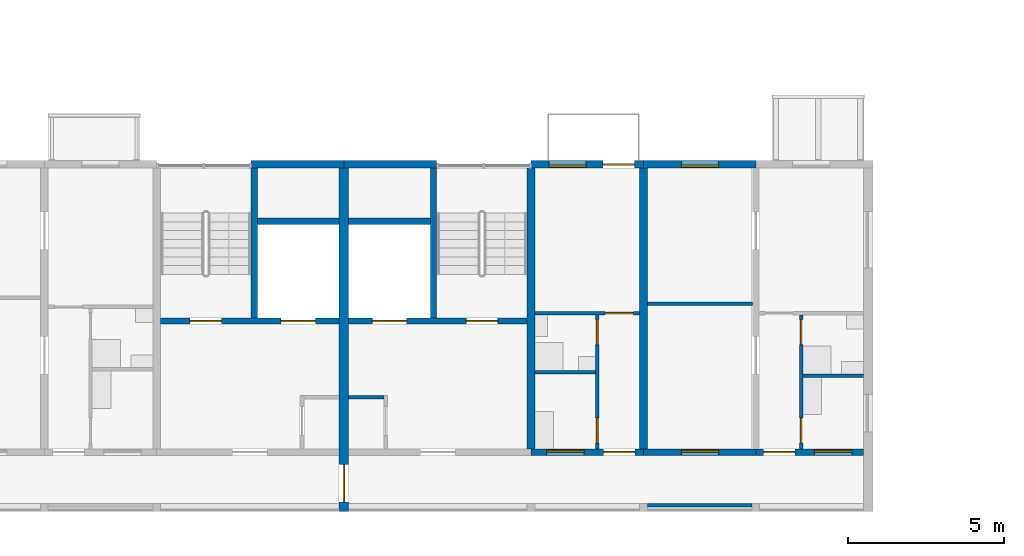
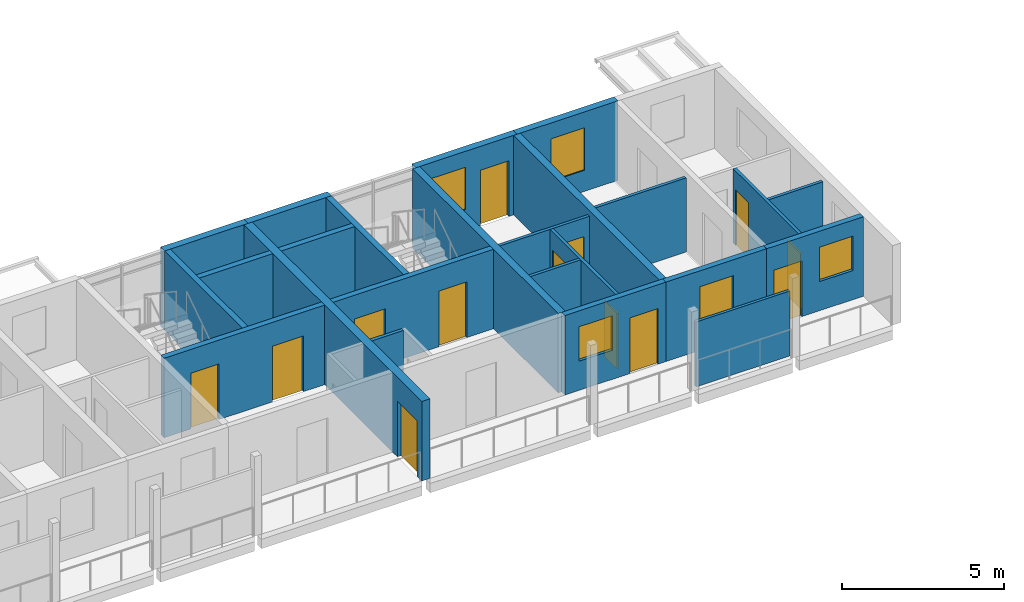
# One storey, part 40 of 98: 24 walls, 13 doors, 5 windows, 18 openings.
"""IFC4 building model written with IfcOpenShell, lengths in metres."""

import ifcopenshell
import ifcopenshell.guid

model = None  # the IFC model being written
_history = None  # IfcOwnerHistory: only IFC2X3 demands one
_inside = {}  # id of a spatial element -> (the spatial element, [elements in it])
_under = {}  # id of a project, library or spatial element -> (it, [spatial elements below it])
_declared = {}  # id of a project -> (the project, [libraries it declares])
_typed = {}  # id of a type object -> (the type object, [elements of that type])
_made_of = {}  # id of a material, layer set ... -> (it, [elements and type objects made of it])


def new_model(schema):
    """Start an empty IFC model of exactly this schema.

    Asked for "IFC4X3", IfcOpenShell would pick the latest addendum, in which some entities
    have other attributes; the version numbers below select the first issue.
    IFC2X3 requires an IfcOwnerHistory on every rooted entity: one is made here for all.
    """
    global model, _history
    if schema == "IFC4X3":
        model = ifcopenshell.file(schema_version=(4, 3, 0, 0))
    else:
        model = ifcopenshell.file(schema=schema)
    _inside.clear()
    _under.clear()
    _declared.clear()
    _typed.clear()
    _made_of.clear()
    _history = None
    if model.schema == "IFC2X3":
        org = make("IfcOrganization", Name="unknown")
        user = make(
            "IfcPersonAndOrganization",
            ThePerson=make("IfcPerson", FamilyName="unknown"),
            TheOrganization=org,
        )
        app = make(
            "IfcApplication",
            ApplicationDeveloper=org,
            Version="unknown",
            ApplicationFullName="unknown",
            ApplicationIdentifier="unknown",
        )
        _history = make(
            "IfcOwnerHistory",
            OwningUser=user,
            OwningApplication=app,
            ChangeAction="ADDED",
            CreationDate=0,
        )
    return model


def make(cls, **values):
    """One entity of the class cls with the attributes given. An attribute that is None is left unset."""
    return model.create_entity(
        cls, **{name: value for name, value in values.items() if value is not None}
    )


def rooted(cls, **values):
    """An entity with a GlobalId (a new one), such as an element, a storey or a relation."""
    return make(cls, GlobalId=ifcopenshell.guid.new(), OwnerHistory=_history, **values)


def si_unit(unit_type, name, prefix=None):
    """IfcSIUnit, for example si_unit("LENGTHUNIT", "METRE", prefix="MILLI")."""
    return make("IfcSIUnit", UnitType=unit_type, Prefix=prefix, Name=name)


def assignment(units):
    """IfcUnitAssignment: the units of a project."""
    return None if units is None else make("IfcUnitAssignment", Units=units)


def point(xyz):
    """IfcCartesianPoint."""
    return None if xyz is None else make("IfcCartesianPoint", Coordinates=xyz)


def direction(xyz):
    """IfcDirection."""
    return None if xyz is None else make("IfcDirection", DirectionRatios=xyz)


def frame(location, z_axis=None, x_axis=None):
    """IfcAxis2Placement3D, a coordinate frame: its origin and axes. An axis left out is left unset."""
    return make(
        "IfcAxis2Placement3D",
        Location=point(location),
        Axis=direction(z_axis),
        RefDirection=direction(x_axis),
    )


def frame_2d(location, x_axis=None):
    """IfcAxis2Placement2D, a coordinate frame in the plane: its origin and x axis."""
    return make(
        "IfcAxis2Placement2D", Location=point(location), RefDirection=direction(x_axis)
    )


def origin():
    """The frame at (0, 0, 0) with its axes left unset."""
    return frame((0.0, 0.0, 0.0))


def place(relative_to, where):
    """IfcLocalPlacement: puts the frame where relative to a parent placement (None: the world)."""
    return make(
        "IfcLocalPlacement", PlacementRelTo=relative_to, RelativePlacement=where
    )


def context(
    kind, dimensions, precision=None, world=None, true_north=None, identifier=None
):
    """IfcGeometricRepresentationContext, for example the 3D "Model" context."""
    return make(
        "IfcGeometricRepresentationContext",
        ContextIdentifier=identifier,
        ContextType=kind,
        CoordinateSpaceDimension=dimensions,
        Precision=precision,
        WorldCoordinateSystem=world,
        TrueNorth=true_north,
    )


def subcontext(parent, identifier, kind, view, scale=None):
    """IfcGeometricRepresentationSubContext, for example "Body" below "Model"."""
    return make(
        "IfcGeometricRepresentationSubContext",
        ContextIdentifier=identifier,
        ContextType=kind,
        ParentContext=parent,
        TargetScale=scale,
        TargetView=view,
    )


def project(units=None, contexts=None):
    """IfcProject with its units and contexts."""
    return rooted(
        "IfcProject",
        Name="project",
        RepresentationContexts=contexts,
        UnitsInContext=assignment(units),
    )


def spatial(cls, under=None, at=None, **own):
    """A site, building, storey or space (cls), placed at a placement, below another one or the project."""
    s = rooted(cls, ObjectPlacement=at, **own)
    if under is not None:
        _under.setdefault(under.id(), (under, []))[1].append(s)
    return s


def profile(cls, at=None, kind="AREA", **sizes):
    """A parametric profile (cls). Its sizes go by their IFC names, for example OverallWidth=200.0."""
    return make(cls, ProfileType=kind, Position=at, **sizes)


def rectangle(**sizes):
    """IfcRectangleProfileDef."""
    return profile("IfcRectangleProfileDef", **sizes)


def extrude(swept, where, along, depth):
    """IfcExtrudedAreaSolid: the profile swept, set in the frame where, extruded along a direction by depth."""
    return make(
        "IfcExtrudedAreaSolid",
        SweptArea=swept,
        Position=where,
        ExtrudedDirection=direction(along),
        Depth=depth,
    )


def shape(context_of_items, identifier, shape_type, items):
    """IfcShapeRepresentation: the items that make up one representation, for example the "Body"."""
    return make(
        "IfcShapeRepresentation",
        ContextOfItems=context_of_items,
        RepresentationIdentifier=identifier,
        RepresentationType=shape_type,
        Items=items,
    )


def material(Name=None, Category=None):
    """IfcMaterial."""
    return make("IfcMaterial", Name=Name, Category=Category)


def layer(
    of_material, thickness, ventilated=None, Name=None, Category=None, Priority=None
):
    """IfcMaterialLayer: one layer of a wall or slab, of a material (None: an air gap)."""
    return make(
        "IfcMaterialLayer",
        Material=of_material,
        LayerThickness=thickness,
        IsVentilated=ventilated,
        Name=Name,
        Category=Category,
        Priority=Priority,
    )


def layer_set(layers, Name=None):
    """IfcMaterialLayerSet."""
    return make("IfcMaterialLayerSet", MaterialLayers=layers, LayerSetName=Name)


def made_of(thing, what):
    """Note that an element or type object is made of a material, layer set ...; save() writes the relation."""
    if what is not None:
        _made_of.setdefault(what.id(), (what, []))[1].append(thing)
    return thing


def type_object(cls, material=None, **own):
    """A type object (cls), such as IfcWallType, which elements share."""
    return made_of(rooted(cls, **own), material)


def element(
    cls,
    number,
    at=None,
    inside=None,
    cuts=None,
    type_object=None,
    material=None,
    context=None,
    identifier="Body",
    shape_type=None,
    held_by="IfcProductDefinitionShape",
    body=None,
    shapes=None,
    **own,
):
    """One element of the class cls, such as IfcWall. Its Tag is "e" and its number.

    at: its placement. inside: the storey or other place that contains it. cuts: it is an
    opening in that element (IfcRelVoidsElement). A single representation is given by context,
    identifier, shape_type and body (its items); several are given by shapes. held_by: the class
    of the entity that holds the representations. save() writes the other relations.
    """
    e = rooted(cls, Tag="e%d" % number, ObjectPlacement=at, **own)
    if body is not None:
        shapes = [shape(context, identifier, shape_type, body)]
    if shapes is not None:
        e.Representation = make(held_by, Representations=shapes)
    if inside is not None:
        _inside.setdefault(inside.id(), (inside, []))[1].append(e)
    if cuts is not None:
        rooted(
            "IfcRelVoidsElement", RelatingBuildingElement=cuts, RelatedOpeningElement=e
        )
    if type_object is not None:
        _typed.setdefault(type_object.id(), (type_object, []))[1].append(e)
    return made_of(e, material)


def fill(opening, filler):
    """IfcRelFillsElement: the door or window that sits in an opening."""
    return rooted(
        "IfcRelFillsElement",
        RelatingOpeningElement=opening,
        RelatedBuildingElement=filler,
    )


def aggregate(whole, parts):
    """IfcRelAggregates: a whole, such as a stair, and the parts it consists of."""
    return rooted("IfcRelAggregates", RelatingObject=whole, RelatedObjects=parts)


def save(model, path):
    """Write the relations noted so far, then the file.

    IfcRelAggregates (storeys below a building ...), IfcRelContainedInSpatialStructure (elements
    in a storey), IfcRelDefinesByType, IfcRelAssociatesMaterial and IfcRelDeclares: one each for
    every whole, place, type object, material and project.
    """
    for whole, parts in _under.values():
        aggregate(whole, parts)
    for where, things in _inside.values():
        rooted(
            "IfcRelContainedInSpatialStructure",
            RelatedElements=things,
            RelatingStructure=where,
        )
    for kind, things in _typed.values():
        rooted("IfcRelDefinesByType", RelatedObjects=things, RelatingType=kind)
    for what, things in _made_of.values():
        rooted("IfcRelAssociatesMaterial", RelatedObjects=things, RelatingMaterial=what)
    for by, libraries in _declared.values():
        rooted("IfcRelDeclares", RelatingContext=by, RelatedDefinitions=libraries)
    model.write(path)


model = new_model("IFC4")

# Units and contexts
model_context = context("Model", 3, precision=1e-05, world=origin(), true_north=direction((0.0, 1.0)))
body_context = subcontext(model_context, "Body", "Model", "MODEL_VIEW")
ifc_project = project(units=[si_unit("LENGTHUNIT", "METRE"), si_unit("AREAUNIT", "SQUARE_METRE"), si_unit("VOLUMEUNIT", "CUBIC_METRE"), si_unit("PLANEANGLEUNIT", "RADIAN"), si_unit("MASSUNIT", "GRAM", prefix="KILO")], contexts=[model_context])

# Site, building, storey
site_placement = place(None, origin())
site = spatial("IfcSite", under=ifc_project, at=site_placement, CompositionType="ELEMENT")
building_placement = place(site_placement, origin())
building = spatial("IfcBuilding", under=site, at=building_placement, Name="Ridgestep Commons", CompositionType="ELEMENT")
storey_placement = place(building_placement, frame((0.0, 0.0, 12.0)))
storey = spatial("IfcBuildingStorey", under=building, at=storey_placement, Name="L04", CompositionType="ELEMENT", Elevation=12.0)

# Walls
ifc_material_1 = material(Name="Concrete C30/37", Category="concrete")
ifc_layer_1 = layer(ifc_material_1, 0.25)
ifc_layer_set_1 = layer_set([ifc_layer_1], Name="Core cross wall 250")
wall_type_1 = type_object("IfcWallType", Name="Core cross wall 250", PredefinedType="SHEAR", material=ifc_layer_set_1)
wall_1_placement = place(storey_placement, frame((102.0, 13.75, 0.0), z_axis=(0.0, 0.0, 1.0), x_axis=(0.0, 1.0, 0.0)))
element("IfcWall", 1, at=wall_1_placement, inside=storey, type_object=wall_type_1, Name="Cross wall A-04-1020", PredefinedType="SHEAR", context=body_context, shape_type="SweptSolid", body=[
    extrude(rectangle(XDim=9.0, YDim=0.25, at=frame_2d((4.5, 0.0))), origin(), (0.0, 0.0, 1.0), 3.0),
])
ifc_material_2 = material(Name="Concrete C30/37", Category="concrete")
ifc_layer_2 = layer(ifc_material_2, 0.1201171875)
ifc_layer_set_2 = layer_set([ifc_layer_2], Name="Core wall 120")
wall_type_2 = type_object("IfcWallType", Name="Core wall 120", PredefinedType="SHEAR", material=ifc_layer_set_2)
wall_2_placement = place(storey_placement, frame((96.14990234375, 15.409912109375, 0.0), z_axis=(0.0, 0.0, 1.0), x_axis=(1.0, 0.0, 0.0)))
element("IfcWall", 2, at=wall_2_placement, inside=storey, type_object=wall_type_2, Name="Core riser n wall A6C L04", PredefinedType="SHEAR", context=body_context, shape_type="SweptSolid", body=[
    extrude(rectangle(XDim=1.130126953125, YDim=0.1201171875, at=frame_2d((0.56494140625, 0.0))), origin(), (0.0, 0.0, 1.0), 3.0),
])

# Wall, openings, doors
ifc_material_3 = material(Name="Concrete C30/37", Category="concrete")
ifc_layer_3 = layer(ifc_material_3, 0.199951171875)
ifc_layer_set_3 = layer_set([ifc_layer_3], Name="Core wall 200")
wall_type_3 = type_object("IfcWallType", Name="Core wall 200", PredefinedType="SHEAR", material=ifc_layer_set_3)
wall_3_placement = place(storey_placement, frame((90.125, 17.85009765625, 0.0), z_axis=(0.0, 0.0, 1.0), x_axis=(1.0, 0.0, 0.0)))
wall_3 = element("IfcWall", 3, at=wall_3_placement, inside=storey, type_object=wall_type_3, Name="Core lobby wall A5C L04", PredefinedType="SHEAR", context=body_context, shape_type="SweptSolid", body=[
    extrude(rectangle(XDim=5.72509765625, YDim=0.199951171875, at=frame_2d((2.862548828125, 0.0))), origin(), (0.0, 0.0, 1.0), 3.0),
])
opening_1_placement = place(wall_3_placement, frame((0.949951171875, 0.0, 0.0)))
opening_1 = element("IfcOpeningElement", 4, at=opening_1_placement, cuts=wall_3, Name="Opening A5C/04/2", PredefinedType="OPENING", context=body_context, shape_type="SweptSolid", body=[
    extrude(rectangle(XDim=1.0, YDim=2.10009765625, at=frame_2d((0.5, 1.050048828125))), frame((0.0, 0.10986328125, 0.0), z_axis=(0.0, -1.0, 0.0), x_axis=(1.0, 0.0, 0.0)), (0.0, 0.0, 1.0), 0.219970703125),
])
opening_2_placement = place(wall_3_placement, frame((3.862548828125, 0.0, 0.0)))
opening_2 = element("IfcOpeningElement", 5, at=opening_2_placement, cuts=wall_3, Name="Opening A5C/04/3", PredefinedType="OPENING", context=body_context, shape_type="SweptSolid", body=[
    extrude(rectangle(XDim=1.10009765625, YDim=2.10009765625, at=frame_2d((0.550048828125, 1.050048828125))), frame((0.0, 0.10986328125, 0.0), z_axis=(0.0, -1.0, 0.0), x_axis=(1.0, 0.0, 0.0)), (0.0, 0.0, 1.0), 0.219970703125),
])
ifc_material_4 = material(Name="Stainless steel", Category="steel")
door_type_1 = type_object("IfcDoorType", Name="Lift landing door 1100 x 2100 FD60", OperationType="DOUBLE_DOOR_SLIDING", PredefinedType="DOOR", material=ifc_material_4)
door_1_placement = place(opening_2_placement, origin())
door_1 = element("IfcDoor", 6, at=door_1_placement, inside=storey, type_object=door_type_1, Name="Landing door LD A5C L04", OperationType="DOUBLE_DOOR_SLIDING", OverallHeight=2.10009765625, OverallWidth=1.10009765625, PredefinedType="DOOR", context=body_context, shape_type="SweptSolid", body=[
    extrude(rectangle(XDim=1.10009765625, YDim=2.10009765625, at=frame_2d((0.550048828125, 1.050048828125))), frame((0.0, 0.02490234375, 0.0), z_axis=(0.0, -1.0, 0.0), x_axis=(1.0, 0.0, 0.0)), (0.0, 0.0, 1.0), 0.050048828125),
])
fill(opening_2, door_1)
ifc_material_5 = material(Name="Steel fire door", Category="steel")
door_type_2 = type_object("IfcDoorType", Name="Stair door 1000 x 2100 FD60", OperationType="NOTDEFINED", PredefinedType="DOOR", material=ifc_material_5)
door_2_placement = place(opening_1_placement, origin())
door_2 = element("IfcDoor", 7, at=door_2_placement, inside=storey, type_object=door_type_2, Name="Stair door A5C/04/2", OperationType="SINGLE_SWING_RIGHT", OverallHeight=2.10009765625, OverallWidth=1.0, PredefinedType="DOOR", context=body_context, shape_type="SweptSolid", body=[
    extrude(rectangle(XDim=1.0, YDim=2.10009765625, at=frame_2d((0.5, 1.050048828125))), frame((0.0, 0.02490234375, 0.0), z_axis=(0.0, -1.0, 0.0), x_axis=(1.0, 0.0, 0.0)), (0.0, 0.0, 1.0), 0.050048828125),
])
fill(opening_1, door_2)

# Walls
wall_4_placement = place(storey_placement, frame((93.125, 17.949951171875, 0.0), z_axis=(0.0, 0.0, 1.0), x_axis=(0.0, 1.0, 0.0)))
element("IfcWall", 8, at=wall_4_placement, inside=storey, type_object=wall_type_3, Name="Core stair wall A5C L04", PredefinedType="SHEAR", context=body_context, shape_type="SweptSolid", body=[
    extrude(rectangle(XDim=4.800048828125, YDim=0.199951171875, at=frame_2d((2.39990234375, 0.0))), origin(), (0.0, 0.0, 1.0), 3.0),
])
wall_5_placement = place(storey_placement, frame((93.22509765625, 21.050048828125, 0.0), z_axis=(0.0, 0.0, 1.0), x_axis=(1.0, 0.0, 0.0)))
element("IfcWall", 9, at=wall_5_placement, inside=storey, type_object=wall_type_3, Name="Core duct wall A5C L04", PredefinedType="SHEAR", context=body_context, shape_type="SweptSolid", body=[
    extrude(rectangle(XDim=2.625, YDim=0.199951171875, at=frame_2d((1.3125, 0.0))), origin(), (0.0, 0.0, 1.0), 3.0),
])

# Wall, openings, doors
wall_6_placement = place(storey_placement, frame((96.14990234375, 17.85009765625, 0.0), z_axis=(0.0, 0.0, 1.0), x_axis=(1.0, 0.0, 0.0)))
wall_6 = element("IfcWall", 10, at=wall_6_placement, inside=storey, type_object=wall_type_3, Name="Core lobby wall A6C L04", PredefinedType="SHEAR", context=body_context, shape_type="SweptSolid", body=[
    extrude(rectangle(XDim=5.72509765625, YDim=0.199951171875, at=frame_2d((2.862548828125, 0.0))), origin(), (0.0, 0.0, 1.0), 3.0),
])
opening_3_placement = place(wall_6_placement, frame((3.77490234375, 0.0, 0.0)))
opening_3 = element("IfcOpeningElement", 11, at=opening_3_placement, cuts=wall_6, Name="Opening A6C/04/2", PredefinedType="OPENING", context=body_context, shape_type="SweptSolid", body=[
    extrude(rectangle(XDim=1.0, YDim=2.10009765625, at=frame_2d((0.5, 1.050048828125))), frame((0.0, 0.10986328125, 0.0), z_axis=(0.0, -1.0, 0.0), x_axis=(1.0, 0.0, 0.0)), (0.0, 0.0, 1.0), 0.219970703125),
])
opening_4_placement = place(wall_6_placement, frame((0.762451171875, 0.0, 0.0)))
opening_4 = element("IfcOpeningElement", 12, at=opening_4_placement, cuts=wall_6, Name="Opening A6C/04/3", PredefinedType="OPENING", context=body_context, shape_type="SweptSolid", body=[
    extrude(rectangle(XDim=1.10009765625, YDim=2.10009765625, at=frame_2d((0.550048828125, 1.050048828125))), frame((0.0, 0.10986328125, 0.0), z_axis=(0.0, -1.0, 0.0), x_axis=(1.0, 0.0, 0.0)), (0.0, 0.0, 1.0), 0.219970703125),
])
door_3_placement = place(opening_4_placement, origin())
door_3 = element("IfcDoor", 13, at=door_3_placement, inside=storey, type_object=door_type_1, Name="Landing door LD A6C L04", OperationType="DOUBLE_DOOR_SLIDING", OverallHeight=2.10009765625, OverallWidth=1.10009765625, PredefinedType="DOOR", context=body_context, shape_type="SweptSolid", body=[
    extrude(rectangle(XDim=1.10009765625, YDim=2.10009765625, at=frame_2d((0.550048828125, 1.050048828125))), frame((0.0, 0.02490234375, 0.0), z_axis=(0.0, -1.0, 0.0), x_axis=(1.0, 0.0, 0.0)), (0.0, 0.0, 1.0), 0.050048828125),
])
fill(opening_4, door_3)
door_4_placement = place(opening_3_placement, origin())
door_4 = element("IfcDoor", 14, at=door_4_placement, inside=storey, type_object=door_type_2, Name="Stair door A6C/04/2", OperationType="SINGLE_SWING_RIGHT", OverallHeight=2.10009765625, OverallWidth=1.0, PredefinedType="DOOR", context=body_context, shape_type="SweptSolid", body=[
    extrude(rectangle(XDim=1.0, YDim=2.10009765625, at=frame_2d((0.5, 1.050048828125))), frame((0.0, 0.02490234375, 0.0), z_axis=(0.0, -1.0, 0.0), x_axis=(1.0, 0.0, 0.0)), (0.0, 0.0, 1.0), 0.050048828125),
])
fill(opening_3, door_4)

# Walls
wall_7_placement = place(storey_placement, frame((98.875, 17.949951171875, 0.0), z_axis=(0.0, 0.0, 1.0), x_axis=(0.0, 1.0, 0.0)))
element("IfcWall", 15, at=wall_7_placement, inside=storey, type_object=wall_type_3, Name="Core stair wall A6C L04", PredefinedType="SHEAR", context=body_context, shape_type="SweptSolid", body=[
    extrude(rectangle(XDim=4.800048828125, YDim=0.199951171875, at=frame_2d((2.39990234375, 0.0))), origin(), (0.0, 0.0, 1.0), 3.0),
])
wall_8_placement = place(storey_placement, frame((96.14990234375, 21.050048828125, 0.0), z_axis=(0.0, 0.0, 1.0), x_axis=(1.0, 0.0, 0.0)))
element("IfcWall", 16, at=wall_8_placement, inside=storey, type_object=wall_type_3, Name="Core duct wall A6C L04", PredefinedType="SHEAR", context=body_context, shape_type="SweptSolid", body=[
    extrude(rectangle(XDim=2.625, YDim=0.199951171875, at=frame_2d((1.3125, 0.0))), origin(), (0.0, 0.0, 1.0), 3.0),
])
ifc_material_6 = material(Name="Precast concrete C40/50", Category="concrete")
ifc_layer_4 = layer(ifc_material_6, 0.25)
ifc_layer_set_4 = layer_set([ifc_layer_4], Name="Cross wall 250")
wall_type_4 = type_object("IfcWallType", Name="Cross wall 250", PredefinedType="SHEAR", material=ifc_layer_set_4)
wall_9_placement = place(storey_placement, frame((105.60009765625, 13.75, 0.0), z_axis=(0.0, 0.0, 1.0), x_axis=(0.0, 1.0, 0.0)))
element("IfcWall", 17, at=wall_9_placement, inside=storey, type_object=wall_type_4, Name="Cross wall A-04-1056", PredefinedType="SHEAR", context=body_context, shape_type="SweptSolid", body=[
    extrude(rectangle(XDim=9.0, YDim=0.25, at=frame_2d((4.5, 0.0))), origin(), (0.0, 0.0, 1.0), 3.0),
])

# Wall, opening, door
ifc_material_7 = material(Name="Precast concrete C40/50", Category="concrete")
ifc_layer_5 = layer(ifc_material_7, 0.300048828125)
ifc_layer_set_5 = layer_set([ifc_layer_5], Name="Division wall 300")
wall_type_5 = type_object("IfcWallType", Name="Division wall 300", PredefinedType="SHEAR", material=ifc_layer_set_5)
wall_10_placement = place(storey_placement, frame((96.0, 11.75, 0.0), z_axis=(0.0, 0.0, 1.0), x_axis=(0.0, 1.0, 0.0)))
wall_10 = element("IfcWall", 18, at=wall_10_placement, inside=storey, type_object=wall_type_5, Name="Cross wall A-04-0960", PredefinedType="SHEAR", context=body_context, shape_type="SweptSolid", body=[
    extrude(rectangle(XDim=11.0, YDim=0.300048828125, at=frame_2d((5.5, 0.0))), origin(), (0.0, 0.0, 1.0), 3.0),
])
opening_5_placement = place(wall_10_placement, frame((0.300048828125, 0.0, 0.0)))
opening_5 = element("IfcOpeningElement", 19, at=opening_5_placement, cuts=wall_10, Name="Opening A/04/G0960", PredefinedType="OPENING", context=body_context, shape_type="SweptSolid", body=[
    extrude(rectangle(XDim=1.199951171875, YDim=2.10009765625, at=frame_2d((0.60009765625, 1.050048828125))), frame((0.0, 0.159912109375, 0.0), z_axis=(0.0, -1.0, 0.0), x_axis=(1.0, 0.0, 0.0)), (0.0, 0.0, 1.0), 0.320068359375),
])
ifc_material_8 = material(Name="Steel fire door", Category="steel")
door_type_3 = type_object("IfcDoorType", Name="Division fire door 1200 x 2100 EI 240", OperationType="DOUBLE_DOOR_SINGLE_SWING", PredefinedType="DOOR", material=ifc_material_8)
door_5_placement = place(opening_5_placement, origin())
door_5 = element("IfcDoor", 20, at=door_5_placement, inside=storey, type_object=door_type_3, Name="Division fire door A/04/G0960", OperationType="DOUBLE_DOOR_SINGLE_SWING", OverallHeight=2.10009765625, OverallWidth=1.199951171875, PredefinedType="DOOR", context=body_context, shape_type="SweptSolid", body=[
    extrude(rectangle(XDim=1.199951171875, YDim=2.10009765625, at=frame_2d((0.60009765625, 1.050048828125))), frame((0.0, 0.02490234375, 0.0), z_axis=(0.0, -1.0, 0.0), x_axis=(1.0, 0.0, 0.0)), (0.0, 0.0, 1.0), 0.050048828125),
])
fill(opening_5, door_5)

# Walls
ifc_material_9 = material(Name="Precast concrete C40/50", Category="concrete")
ifc_layer_6 = layer(ifc_material_9, 0.25)
ifc_layer_set_6 = layer_set([ifc_layer_6], Name="North facade panel 250")
wall_type_6 = type_object("IfcWallType", Name="North facade panel 250", PredefinedType="SOLIDWALL", material=ifc_layer_set_6)
for number, where, z_axis, x_axis, name in (
    (21, (93.02490234375, 22.875, 0.0), (0.0, 0.0, 1.0), (1.0, 0.0, 0.0), "North panel A5C L04"),
    (22, (96.0, 22.875, 0.0), (0.0, 0.0, 1.0), (1.0, 0.0, 0.0), "North panel A6C L04"),
):
    element("IfcWall", number, at=place(storey_placement, frame(where, z_axis=z_axis, x_axis=x_axis)), inside=storey, type_object=wall_type_6, Name=name, PredefinedType="SOLIDWALL", context=body_context, shape_type="SweptSolid", body=[
        extrude(rectangle(XDim=2.97509765625, YDim=0.25, at=frame_2d((1.487548828125, 0.0))), origin(), (0.0, 0.0, 1.0), 3.0),
    ])

# Wall, openings, door, window
wall_11_placement = place(storey_placement, frame((102.0, 22.875, 0.0), z_axis=(0.0, 0.0, 1.0), x_axis=(1.0, 0.0, 0.0)))
wall_11 = element("IfcWall", 23, at=wall_11_placement, inside=storey, type_object=wall_type_6, Name="North panel A6T3 L04", PredefinedType="SOLIDWALL", context=body_context, shape_type="SweptSolid", body=[
    extrude(rectangle(XDim=3.60009765625, YDim=0.25, at=frame_2d((1.800048828125, 0.0))), origin(), (0.0, 0.0, 1.0), 3.0),
])
opening_6_placement = place(wall_11_placement, frame((0.5654296875, 0.0, 0.800048828125)))
opening_6 = element("IfcOpeningElement", 24, at=opening_6_placement, cuts=wall_11, Name="Opening W11", PredefinedType="OPENING", context=body_context, shape_type="SweptSolid", body=[
    extrude(rectangle(XDim=1.199951171875, YDim=1.60009765625, at=frame_2d((0.60009765625, 0.800048828125))), frame((0.0, 0.135009765625, 0.0), z_axis=(0.0, -1.0, 0.0), x_axis=(1.0, 0.0, 0.0)), (0.0, 0.0, 1.0), 0.27001953125),
])
opening_7_placement = place(wall_11_placement, frame((2.305908203125, 0.0, 0.0)))
opening_7 = element("IfcOpeningElement", 25, at=opening_7_placement, cuts=wall_11, Name="Opening A6-04b/5", PredefinedType="OPENING", context=body_context, shape_type="SweptSolid", body=[
    extrude(rectangle(XDim=1.0, YDim=2.10009765625, at=frame_2d((0.5, 1.050048828125))), frame((0.0, 0.135009765625, 0.0), z_axis=(0.0, -1.0, 0.0), x_axis=(1.0, 0.0, 0.0)), (0.0, 0.0, 1.0), 0.27001953125),
])
ifc_material_10 = material(Name="Aluminium and glass", Category="aluminium")
door_type_4 = type_object("IfcDoorType", Name="Balcony door 1000 x 2100", OperationType="NOTDEFINED", PredefinedType="DOOR", material=ifc_material_10)
door_6_placement = place(opening_7_placement, origin())
door_6 = element("IfcDoor", 26, at=door_6_placement, inside=storey, type_object=door_type_4, Name="Balcony door A6-04b/5", OperationType="SINGLE_SWING_LEFT", OverallHeight=2.10009765625, OverallWidth=1.0, PredefinedType="DOOR", context=body_context, shape_type="SweptSolid", body=[
    extrude(rectangle(XDim=1.0, YDim=2.10009765625, at=frame_2d((0.5, 1.050048828125))), frame((0.0, 0.02490234375, 0.0), z_axis=(0.0, -1.0, 0.0), x_axis=(1.0, 0.0, 0.0)), (0.0, 0.0, 1.0), 0.050048828125),
])
fill(opening_7, door_6)
ifc_material_11 = material(Name="Aluminium 6063-T6 and glass", Category="aluminium")
window_type_1 = type_object("IfcWindowType", Name="Flat window 1200 x 1600", PartitioningType="SINGLE_PANEL", PredefinedType="WINDOW", material=ifc_material_11)
window_1_placement = place(opening_6_placement, origin())
window_1 = element("IfcWindow", 27, at=window_1_placement, inside=storey, type_object=window_type_1, Name="Window A6-04b 2", OverallHeight=1.60009765625, OverallWidth=1.199951171875, PartitioningType="SINGLE_PANEL", PredefinedType="WINDOW", context=body_context, shape_type="SweptSolid", body=[
    extrude(rectangle(XDim=1.199951171875, YDim=1.60009765625, at=frame_2d((0.60009765625, 0.800048828125))), frame((0.0, -0.02490234375, 0.0), z_axis=(0.0, -1.0, 0.0), x_axis=(1.0, 0.0, 0.0)), (0.0, 0.0, 1.0), 0.06005859375),
])
fill(opening_6, window_1)

# Wall, opening, window
wall_12_placement = place(storey_placement, frame((105.60009765625, 22.875, 0.0), z_axis=(0.0, 0.0, 1.0), x_axis=(1.0, 0.0, 0.0)))
wall_12 = element("IfcWall", 28, at=wall_12_placement, inside=storey, type_object=wall_type_6, Name="North panel A6T2 L04", PredefinedType="SOLIDWALL", context=body_context, shape_type="SweptSolid", body=[
    extrude(rectangle(XDim=3.599853515625, YDim=0.25, at=frame_2d((1.7998046875, 0.0))), origin(), (0.0, 0.0, 1.0), 3.0),
])
opening_8_placement = place(wall_12_placement, frame((1.21240234375, 0.0, 0.800048828125)))
opening_8 = element("IfcOpeningElement", 29, at=opening_8_placement, cuts=wall_12, Name="Opening W11", PredefinedType="OPENING", context=body_context, shape_type="SweptSolid", body=[
    extrude(rectangle(XDim=1.199951171875, YDim=1.60009765625, at=frame_2d((0.60009765625, 0.800048828125))), frame((0.0, 0.135009765625, 0.0), z_axis=(0.0, -1.0, 0.0), x_axis=(1.0, 0.0, 0.0)), (0.0, 0.0, 1.0), 0.27001953125),
])
window_2_placement = place(opening_8_placement, origin())
window_2 = element("IfcWindow", 30, at=window_2_placement, inside=storey, type_object=window_type_1, Name="Window A6-04a 2", OverallHeight=1.60009765625, OverallWidth=1.199951171875, PartitioningType="SINGLE_PANEL", PredefinedType="WINDOW", context=body_context, shape_type="SweptSolid", body=[
    extrude(rectangle(XDim=1.199951171875, YDim=1.60009765625, at=frame_2d((0.60009765625, 0.800048828125))), frame((0.0, -0.02490234375, 0.0), z_axis=(0.0, -1.0, 0.0), x_axis=(1.0, 0.0, 0.0)), (0.0, 0.0, 1.0), 0.06005859375),
])
fill(opening_8, window_2)

# Wall, openings, doors
ifc_material_12 = material(Name="Common brick 110 mm", Category="masonry")
ifc_layer_7 = layer(ifc_material_12, 0.110107421875)
ifc_layer_set_7 = layer_set([ifc_layer_7], Name="Partition 110")
wall_type_7 = type_object("IfcWallType", Name="Partition 110", PredefinedType="PARTITIONING", material=ifc_layer_set_7)
wall_13_placement = place(storey_placement, frame((110.655029296875, 13.75, 0.0), z_axis=(0.0, 0.0, 1.0), x_axis=(0.0, 1.0, 0.0)))
wall_13 = element("IfcWall", 31, at=wall_13_placement, inside=storey, type_object=wall_type_7, Name="Partition A6-04a", PredefinedType="PARTITIONING", context=body_context, shape_type="SweptSolid", body=[
    extrude(rectangle(XDim=4.300048828125, YDim=0.110107421875, at=frame_2d((2.14990234375, 0.0))), origin(), (0.0, 0.0, 1.0), 2.800048828125),
])
opening_9_placement = place(wall_13_placement, frame((0.199951171875, 0.0, 0.0)))
opening_9 = element("IfcOpeningElement", 32, at=opening_9_placement, cuts=wall_13, Name="Opening A6-04a/2", PredefinedType="OPENING", context=body_context, shape_type="SweptSolid", body=[
    extrude(rectangle(XDim=0.800048828125, YDim=2.10009765625, at=frame_2d((0.39990234375, 1.050048828125))), frame((0.0, 0.06494140625, 0.0), z_axis=(0.0, -1.0, 0.0), x_axis=(1.0, 0.0, 0.0)), (0.0, 0.0, 1.0), 0.130126953125),
])
opening_10_placement = place(wall_13_placement, frame((3.35009765625, 0.0, 0.0)))
opening_10 = element("IfcOpeningElement", 33, at=opening_10_placement, cuts=wall_13, Name="Opening A6-04a/3", PredefinedType="OPENING", context=body_context, shape_type="SweptSolid", body=[
    extrude(rectangle(XDim=0.800048828125, YDim=2.10009765625, at=frame_2d((0.39990234375, 1.050048828125))), frame((0.0, 0.06494140625, 0.0), z_axis=(0.0, -1.0, 0.0), x_axis=(1.0, 0.0, 0.0)), (0.0, 0.0, 1.0), 0.130126953125),
])
ifc_material_13 = material(Name="Timber door leaf", Category="wood")
door_type_5 = type_object("IfcDoorType", Name="Internal door 800 x 2100", OperationType="NOTDEFINED", PredefinedType="DOOR", material=ifc_material_13)
door_7_placement = place(opening_9_placement, origin())
door_7 = element("IfcDoor", 34, at=door_7_placement, inside=storey, type_object=door_type_5, Name="Internal door A6-04a/2", OperationType="SINGLE_SWING_RIGHT", OverallHeight=2.10009765625, OverallWidth=0.800048828125, PredefinedType="DOOR", context=body_context, shape_type="SweptSolid", body=[
    extrude(rectangle(XDim=0.800048828125, YDim=2.10009765625, at=frame_2d((0.39990234375, 1.050048828125))), frame((0.0, 0.02490234375, 0.0), z_axis=(0.0, -1.0, 0.0), x_axis=(1.0, 0.0, 0.0)), (0.0, 0.0, 1.0), 0.050048828125),
])
fill(opening_9, door_7)
door_8_placement = place(opening_10_placement, origin())
door_8 = element("IfcDoor", 35, at=door_8_placement, inside=storey, type_object=door_type_5, Name="Internal door A6-04a/3", OperationType="SINGLE_SWING_LEFT", OverallHeight=2.10009765625, OverallWidth=0.800048828125, PredefinedType="DOOR", context=body_context, shape_type="SweptSolid", body=[
    extrude(rectangle(XDim=0.800048828125, YDim=2.10009765625, at=frame_2d((0.39990234375, 1.050048828125))), frame((0.0, 0.02490234375, 0.0), z_axis=(0.0, -1.0, 0.0), x_axis=(1.0, 0.0, 0.0)), (0.0, 0.0, 1.0), 0.050048828125),
])
fill(opening_10, door_8)

# Walls
wall_14_placement = place(storey_placement, frame((110.7099609375, 16.10498046875, 0.0), z_axis=(0.0, 0.0, 1.0), x_axis=(1.0, 0.0, 0.0)))
element("IfcWall", 36, at=wall_14_placement, inside=storey, type_object=wall_type_7, Name="Partition A6-04a", PredefinedType="PARTITIONING", context=body_context, shape_type="SweptSolid", body=[
    extrude(rectangle(XDim=1.93994140625, YDim=0.110107421875, at=frame_2d((0.969970703125, 0.0))), origin(), (0.0, 0.0, 1.0), 2.800048828125),
])
wall_15_placement = place(storey_placement, frame((105.72509765625, 18.405029296875, 0.0), z_axis=(0.0, 0.0, 1.0), x_axis=(1.0, 0.0, 0.0)))
element("IfcWall", 37, at=wall_15_placement, inside=storey, type_object=wall_type_7, Name="Partition A6-04a", PredefinedType="PARTITIONING", context=body_context, shape_type="SweptSolid", body=[
    extrude(rectangle(XDim=3.375, YDim=0.110107421875, at=frame_2d((1.6875, 0.0))), origin(), (0.0, 0.0, 1.0), 2.800048828125),
])
wall_16_placement = place(storey_placement, frame((102.125, 16.205078125, 0.0), z_axis=(0.0, 0.0, 1.0), x_axis=(1.0, 0.0, 0.0)))
element("IfcWall", 38, at=wall_16_placement, inside=storey, type_object=wall_type_7, Name="Partition A6-04b", PredefinedType="PARTITIONING", context=body_context, shape_type="SweptSolid", body=[
    extrude(rectangle(XDim=1.93994140625, YDim=0.110107421875, at=frame_2d((0.969970703125, 0.0))), origin(), (0.0, 0.0, 1.0), 2.800048828125),
])

# Wall, openings, doors
wall_17_placement = place(storey_placement, frame((104.1201171875, 13.75, 0.0), z_axis=(0.0, 0.0, 1.0), x_axis=(0.0, 1.0, 0.0)))
wall_17 = element("IfcWall", 39, at=wall_17_placement, inside=storey, type_object=wall_type_7, Name="Partition A6-04b", PredefinedType="PARTITIONING", context=body_context, shape_type="SweptSolid", body=[
    extrude(rectangle(XDim=4.300048828125, YDim=0.110107421875, at=frame_2d((2.14990234375, 0.0))), origin(), (0.0, 0.0, 1.0), 2.800048828125),
])
opening_11_placement = place(wall_17_placement, frame((0.199951171875, 0.0, 0.0)))
opening_11 = element("IfcOpeningElement", 40, at=opening_11_placement, cuts=wall_17, Name="Opening A6-04b/2", PredefinedType="OPENING", context=body_context, shape_type="SweptSolid", body=[
    extrude(rectangle(XDim=0.800048828125, YDim=2.10009765625, at=frame_2d((0.39990234375, 1.050048828125))), frame((0.0, 0.06494140625, 0.0), z_axis=(0.0, -1.0, 0.0), x_axis=(1.0, 0.0, 0.0)), (0.0, 0.0, 1.0), 0.130126953125),
])
opening_12_placement = place(wall_17_placement, frame((3.35009765625, 0.0, 0.0)))
opening_12 = element("IfcOpeningElement", 41, at=opening_12_placement, cuts=wall_17, Name="Opening A6-04b/3", PredefinedType="OPENING", context=body_context, shape_type="SweptSolid", body=[
    extrude(rectangle(XDim=0.800048828125, YDim=2.10009765625, at=frame_2d((0.39990234375, 1.050048828125))), frame((0.0, 0.06494140625, 0.0), z_axis=(0.0, -1.0, 0.0), x_axis=(1.0, 0.0, 0.0)), (0.0, 0.0, 1.0), 0.130126953125),
])
door_9_placement = place(opening_11_placement, origin())
door_9 = element("IfcDoor", 42, at=door_9_placement, inside=storey, type_object=door_type_5, Name="Internal door A6-04b/2", OperationType="SINGLE_SWING_LEFT", OverallHeight=2.10009765625, OverallWidth=0.800048828125, PredefinedType="DOOR", context=body_context, shape_type="SweptSolid", body=[
    extrude(rectangle(XDim=0.800048828125, YDim=2.10009765625, at=frame_2d((0.39990234375, 1.050048828125))), frame((0.0, 0.02490234375, 0.0), z_axis=(0.0, -1.0, 0.0), x_axis=(1.0, 0.0, 0.0)), (0.0, 0.0, 1.0), 0.050048828125),
])
fill(opening_11, door_9)
door_10_placement = place(opening_12_placement, origin())
door_10 = element("IfcDoor", 43, at=door_10_placement, inside=storey, type_object=door_type_5, Name="Internal door A6-04b/3", OperationType="SINGLE_SWING_RIGHT", OverallHeight=2.10009765625, OverallWidth=0.800048828125, PredefinedType="DOOR", context=body_context, shape_type="SweptSolid", body=[
    extrude(rectangle(XDim=0.800048828125, YDim=2.10009765625, at=frame_2d((0.39990234375, 1.050048828125))), frame((0.0, 0.02490234375, 0.0), z_axis=(0.0, -1.0, 0.0), x_axis=(1.0, 0.0, 0.0)), (0.0, 0.0, 1.0), 0.050048828125),
])
fill(opening_12, door_10)

# Wall, opening, door
wall_18_placement = place(storey_placement, frame((102.125, 18.10498046875, 0.0), z_axis=(0.0, 0.0, 1.0), x_axis=(1.0, 0.0, 0.0)))
wall_18 = element("IfcWall", 44, at=wall_18_placement, inside=storey, type_object=wall_type_7, Name="Partition A6-04b", PredefinedType="PARTITIONING", context=body_context, shape_type="SweptSolid", body=[
    extrude(rectangle(XDim=3.35009765625, YDim=0.110107421875, at=frame_2d((1.675048828125, 0.0))), origin(), (0.0, 0.0, 1.0), 2.800048828125),
])
opening_13_placement = place(wall_18_placement, frame((2.25, 0.0, 0.0)))
opening_13 = element("IfcOpeningElement", 45, at=opening_13_placement, cuts=wall_18, Name="Opening A6-04b/4", PredefinedType="OPENING", context=body_context, shape_type="SweptSolid", body=[
    extrude(rectangle(XDim=0.89990234375, YDim=2.10009765625, at=frame_2d((0.449951171875, 1.050048828125))), frame((0.0, 0.06494140625, 0.0), z_axis=(0.0, -1.0, 0.0), x_axis=(1.0, 0.0, 0.0)), (0.0, 0.0, 1.0), 0.130126953125),
])
ifc_material_14 = material(Name="Timber door leaf", Category="wood")
door_type_6 = type_object("IfcDoorType", Name="Internal door 900 x 2100", OperationType="NOTDEFINED", PredefinedType="DOOR", material=ifc_material_14)
door_11_placement = place(opening_13_placement, origin())
door_11 = element("IfcDoor", 46, at=door_11_placement, inside=storey, type_object=door_type_6, Name="Internal door A6-04b/4", OperationType="SINGLE_SWING_LEFT", OverallHeight=2.10009765625, OverallWidth=0.89990234375, PredefinedType="DOOR", context=body_context, shape_type="SweptSolid", body=[
    extrude(rectangle(XDim=0.89990234375, YDim=2.10009765625, at=frame_2d((0.449951171875, 1.050048828125))), frame((0.0, 0.02490234375, 0.0), z_axis=(0.0, -1.0, 0.0), x_axis=(1.0, 0.0, 0.0)), (0.0, 0.0, 1.0), 0.050048828125),
])
fill(opening_13, door_11)

# Wall
ifc_material_15 = material(Name="Precast concrete C30/37", Category="concrete")
ifc_layer_8 = layer(ifc_material_15, 0.10009765625)
ifc_layer_set_8 = layer_set([ifc_layer_8], Name="Perforated gallery screen 3350 x 2450 x 100")
wall_type_8 = type_object("IfcWallType", Name="Perforated gallery screen 3350 x 2450 x 100", PredefinedType="SOLIDWALL", material=ifc_layer_set_8)
wall_19_placement = place(storey_placement, frame((105.72509765625, 11.949951171875, 0.0), z_axis=(0.0, 0.0, 1.0), x_axis=(1.0, 0.0, 0.0)))
element("IfcWall", 47, at=wall_19_placement, inside=storey, type_object=wall_type_8, Name="Gallery screen A6T2 04", PredefinedType="SOLIDWALL", context=body_context, shape_type="SweptSolid", body=[
    extrude(rectangle(XDim=3.349853515625, YDim=0.10009765625, at=frame_2d((1.6748046875, 0.0))), origin(), (0.0, 0.0, 1.0), 2.449951171875),
])

# Wall, openings, door, window
ifc_material_16 = material(Name="Precast concrete C40/50", Category="concrete")
ifc_layer_9 = layer(ifc_material_16, 0.199951171875)
ifc_layer_set_9 = layer_set([ifc_layer_9], Name="South facade panel 200")
wall_type_9 = type_object("IfcWallType", Name="South facade panel 200", PredefinedType="SOLIDWALL", material=ifc_layer_set_9)
wall_20_placement = place(storey_placement, frame((102.0, 13.64990234375, 0.0), z_axis=(0.0, 0.0, 1.0), x_axis=(1.0, 0.0, 0.0)))
wall_20 = element("IfcWall", 48, at=wall_20_placement, inside=storey, type_object=wall_type_9, Name="South panel A6T3 L04", PredefinedType="SOLIDWALL", context=body_context, shape_type="SweptSolid", body=[
    extrude(rectangle(XDim=3.60009765625, YDim=0.199951171875, at=frame_2d((1.800048828125, 0.0))), origin(), (0.0, 0.0, 1.0), 3.0),
])
opening_14_placement = place(wall_20_placement, frame((0.4951171875, 0.0, 1.10009765625)))
opening_14 = element("IfcOpeningElement", 49, at=opening_14_placement, cuts=wall_20, Name="Opening W08", PredefinedType="OPENING", context=body_context, shape_type="SweptSolid", body=[
    extrude(rectangle(XDim=1.199951171875, YDim=1.300048828125, at=frame_2d((0.60009765625, 0.64990234375))), frame((0.0, 0.10986328125, 0.0), z_axis=(0.0, -1.0, 0.0), x_axis=(1.0, 0.0, 0.0)), (0.0, 0.0, 1.0), 0.219970703125),
])
opening_15_placement = place(wall_20_placement, frame((2.324951171875, 0.0, 0.0)))
opening_15 = element("IfcOpeningElement", 50, at=opening_15_placement, cuts=wall_20, Name="Opening A6-04b/1", PredefinedType="OPENING", context=body_context, shape_type="SweptSolid", body=[
    extrude(rectangle(XDim=1.0, YDim=2.10009765625, at=frame_2d((0.5, 1.050048828125))), frame((0.0, 0.10986328125, 0.0), z_axis=(0.0, -1.0, 0.0), x_axis=(1.0, 0.0, 0.0)), (0.0, 0.0, 1.0), 0.219970703125),
])
ifc_material_17 = material(Name="Timber door leaf", Category="wood")
door_type_7 = type_object("IfcDoorType", Name="Flat entrance door 1000 x 2100 FD30S", OperationType="NOTDEFINED", PredefinedType="DOOR", material=ifc_material_17)
door_12_placement = place(opening_15_placement, origin())
door_12 = element("IfcDoor", 51, at=door_12_placement, inside=storey, type_object=door_type_7, Name="Flat entrance door A6-04b/1", OperationType="SINGLE_SWING_RIGHT", OverallHeight=2.10009765625, OverallWidth=1.0, PredefinedType="DOOR", context=body_context, shape_type="SweptSolid", body=[
    extrude(rectangle(XDim=1.0, YDim=2.10009765625, at=frame_2d((0.5, 1.050048828125))), frame((0.0, 0.02490234375, 0.0), z_axis=(0.0, -1.0, 0.0), x_axis=(1.0, 0.0, 0.0)), (0.0, 0.0, 1.0), 0.050048828125),
])
fill(opening_15, door_12)
ifc_material_18 = material(Name="Aluminium 6063-T6 and glass", Category="aluminium")
window_type_2 = type_object("IfcWindowType", Name="Flat window 1200 x 1300", PartitioningType="SINGLE_PANEL", PredefinedType="WINDOW", material=ifc_material_18)
window_3_placement = place(opening_14_placement, origin())
window_3 = element("IfcWindow", 52, at=window_3_placement, inside=storey, type_object=window_type_2, Name="Window A6-04b 1", OverallHeight=1.300048828125, OverallWidth=1.199951171875, PartitioningType="SINGLE_PANEL", PredefinedType="WINDOW", context=body_context, shape_type="SweptSolid", body=[
    extrude(rectangle(XDim=1.199951171875, YDim=1.300048828125, at=frame_2d((0.60009765625, 0.64990234375))), frame((0.0, 0.06005859375, 0.0), z_axis=(0.0, -1.0, 0.0), x_axis=(1.0, 0.0, 0.0)), (0.0, 0.0, 1.0), 0.06005859375),
])
fill(opening_14, window_3)

# Wall, opening, window
wall_21_placement = place(storey_placement, frame((105.60009765625, 13.64990234375, 0.0), z_axis=(0.0, 0.0, 1.0), x_axis=(1.0, 0.0, 0.0)))
wall_21 = element("IfcWall", 53, at=wall_21_placement, inside=storey, type_object=wall_type_9, Name="South panel A6T2 L04", PredefinedType="SOLIDWALL", context=body_context, shape_type="SweptSolid", body=[
    extrude(rectangle(XDim=3.599853515625, YDim=0.199951171875, at=frame_2d((1.7998046875, 0.0))), origin(), (0.0, 0.0, 1.0), 3.0),
])
opening_16_placement = place(wall_21_placement, frame((1.21240234375, 0.0, 0.800048828125)))
opening_16 = element("IfcOpeningElement", 54, at=opening_16_placement, cuts=wall_21, Name="Opening W11", PredefinedType="OPENING", context=body_context, shape_type="SweptSolid", body=[
    extrude(rectangle(XDim=1.199951171875, YDim=1.60009765625, at=frame_2d((0.60009765625, 0.800048828125))), frame((0.0, 0.10986328125, 0.0), z_axis=(0.0, -1.0, 0.0), x_axis=(1.0, 0.0, 0.0)), (0.0, 0.0, 1.0), 0.219970703125),
])
window_4_placement = place(opening_16_placement, origin())
window_4 = element("IfcWindow", 55, at=window_4_placement, inside=storey, type_object=window_type_1, Name="Window A6-04a 1", OverallHeight=1.60009765625, OverallWidth=1.199951171875, PartitioningType="SINGLE_PANEL", PredefinedType="WINDOW", context=body_context, shape_type="SweptSolid", body=[
    extrude(rectangle(XDim=1.199951171875, YDim=1.60009765625, at=frame_2d((0.60009765625, 0.800048828125))), frame((0.0, 0.06005859375, 0.0), z_axis=(0.0, -1.0, 0.0), x_axis=(1.0, 0.0, 0.0)), (0.0, 0.0, 1.0), 0.06005859375),
])
fill(opening_16, window_4)

# Wall, openings, door, window
wall_22_placement = place(storey_placement, frame((109.199951171875, 13.64990234375, 0.0), z_axis=(0.0, 0.0, 1.0), x_axis=(1.0, 0.0, 0.0)))
wall_22 = element("IfcWall", 56, at=wall_22_placement, inside=storey, type_object=wall_type_9, Name="South panel A6T1 L04", PredefinedType="SOLIDWALL", context=body_context, shape_type="SweptSolid", body=[
    extrude(rectangle(XDim=3.449951171875, YDim=0.199951171875, at=frame_2d((1.72509765625, 0.0))), origin(), (0.0, 0.0, 1.0), 3.0),
])
opening_17_placement = place(wall_22_placement, frame((1.8798828125, 0.0, 1.10009765625)))
opening_17 = element("IfcOpeningElement", 57, at=opening_17_placement, cuts=wall_22, Name="Opening W08", PredefinedType="OPENING", context=body_context, shape_type="SweptSolid", body=[
    extrude(rectangle(XDim=1.199951171875, YDim=1.300048828125, at=frame_2d((0.60009765625, 0.64990234375))), frame((0.0, 0.10986328125, 0.0), z_axis=(0.0, -1.0, 0.0), x_axis=(1.0, 0.0, 0.0)), (0.0, 0.0, 1.0), 0.219970703125),
])
opening_18_placement = place(wall_22_placement, frame((0.25, 0.0, 0.0)))
opening_18 = element("IfcOpeningElement", 58, at=opening_18_placement, cuts=wall_22, Name="Opening A6-04a/1", PredefinedType="OPENING", context=body_context, shape_type="SweptSolid", body=[
    extrude(rectangle(XDim=1.0, YDim=2.10009765625, at=frame_2d((0.5, 1.050048828125))), frame((0.0, 0.10986328125, 0.0), z_axis=(0.0, -1.0, 0.0), x_axis=(1.0, 0.0, 0.0)), (0.0, 0.0, 1.0), 0.219970703125),
])
door_13_placement = place(opening_18_placement, origin())
door_13 = element("IfcDoor", 59, at=door_13_placement, inside=storey, type_object=door_type_7, Name="Flat entrance door A6-04a/1", OperationType="SINGLE_SWING_LEFT", OverallHeight=2.10009765625, OverallWidth=1.0, PredefinedType="DOOR", context=body_context, shape_type="SweptSolid", body=[
    extrude(rectangle(XDim=1.0, YDim=2.10009765625, at=frame_2d((0.5, 1.050048828125))), frame((0.0, 0.02490234375, 0.0), z_axis=(0.0, -1.0, 0.0), x_axis=(1.0, 0.0, 0.0)), (0.0, 0.0, 1.0), 0.050048828125),
])
fill(opening_18, door_13)
window_5_placement = place(opening_17_placement, origin())
window_5 = element("IfcWindow", 60, at=window_5_placement, inside=storey, type_object=window_type_2, Name="Window A6-04a 3", OverallHeight=1.300048828125, OverallWidth=1.199951171875, PartitioningType="SINGLE_PANEL", PredefinedType="WINDOW", context=body_context, shape_type="SweptSolid", body=[
    extrude(rectangle(XDim=1.199951171875, YDim=1.300048828125, at=frame_2d((0.60009765625, 0.64990234375))), frame((0.0, 0.06005859375, 0.0), z_axis=(0.0, -1.0, 0.0), x_axis=(1.0, 0.0, 0.0)), (0.0, 0.0, 1.0), 0.06005859375),
])
fill(opening_17, window_5)

save(model, "model.ifc")
